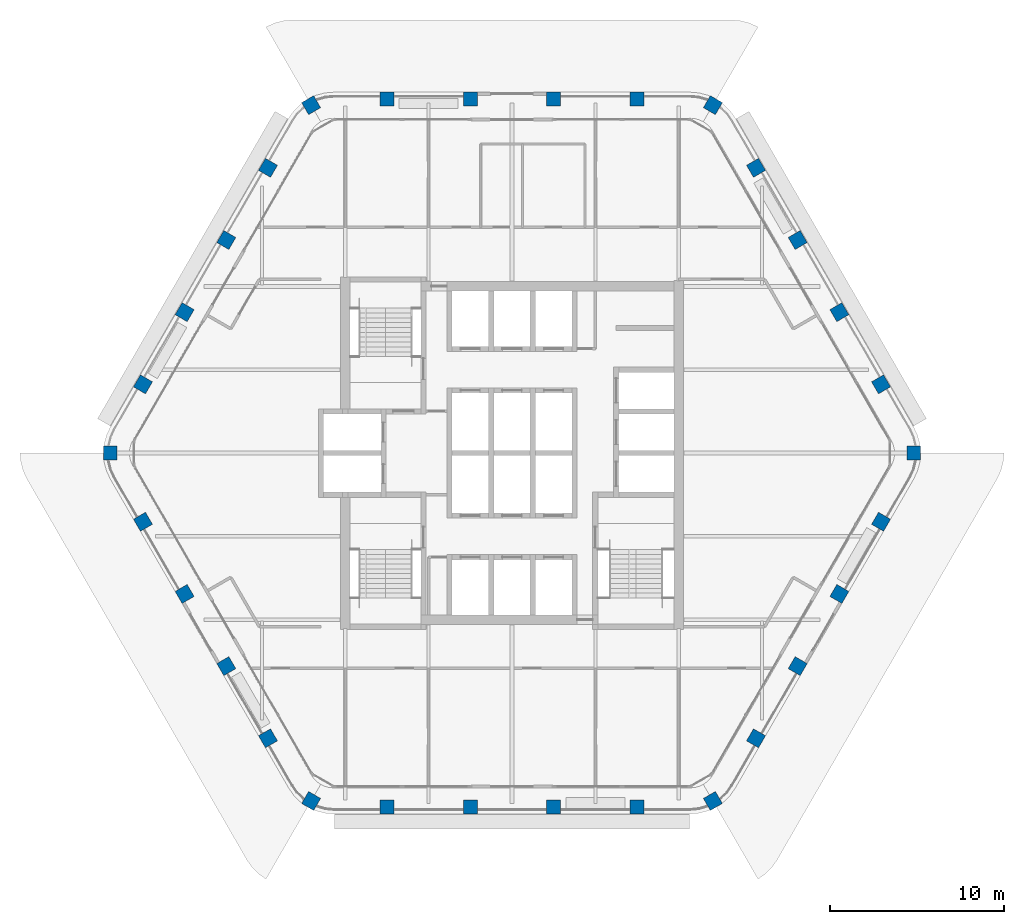
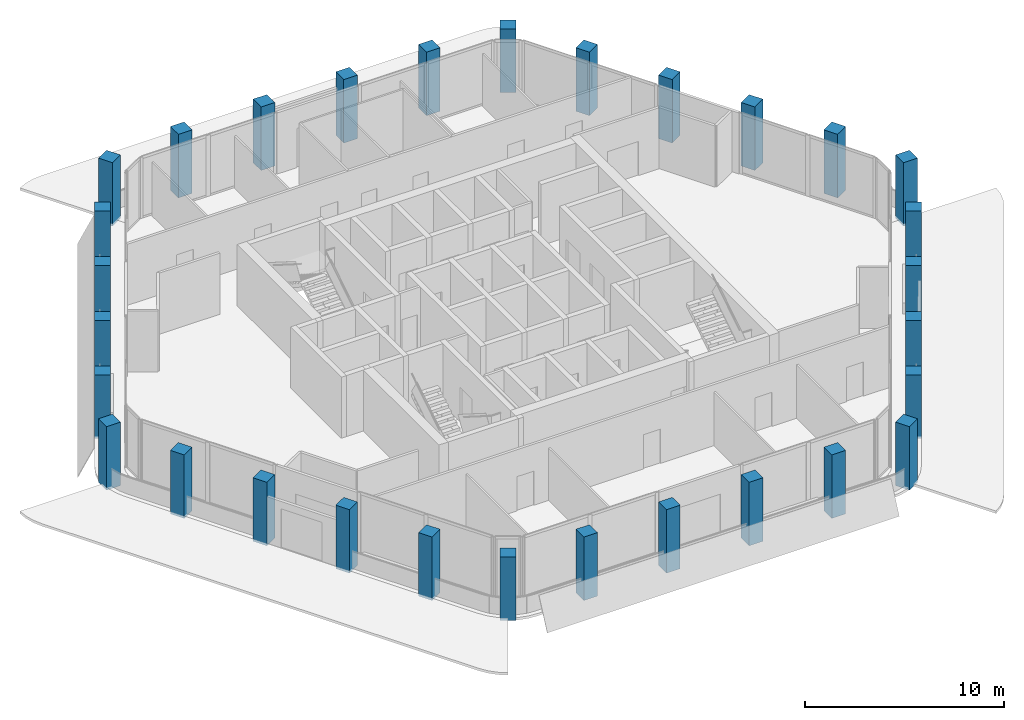
# One storey, part 1 of 14: 30 columns.
"""IFC4 building model written with IfcOpenShell, lengths in metres."""

from ifc_helpers import new_model, si_unit, direction, frame, origin, origin_2d, place, context, subcontext, project, spatial, rectangle, extrude, material, material_profile, profile_set, type_object, element, save


model = new_model("IFC4")

# Units and contexts
model_context = context("Model", 3, precision=1e-05, world=origin(), true_north=direction((0.0, 1.0)))
body_context = subcontext(model_context, "Body", "Model", "MODEL_VIEW")
ifc_project = project(units=[si_unit("LENGTHUNIT", "METRE"), si_unit("AREAUNIT", "SQUARE_METRE"), si_unit("VOLUMEUNIT", "CUBIC_METRE"), si_unit("PLANEANGLEUNIT", "RADIAN"), si_unit("MASSUNIT", "GRAM", prefix="KILO")], contexts=[model_context])

# Site, building, storey
site_placement = place(None, origin())
site = spatial("IfcSite", under=ifc_project, at=site_placement, CompositionType="ELEMENT")
building_placement = place(site_placement, origin())
building = spatial("IfcBuilding", under=site, at=building_placement, Name="Kolab Exchange Tower", CompositionType="ELEMENT")
storey_placement = place(building_placement, frame((0.0, 0.0, 222.800048828125)))
storey = spatial("IfcBuildingStorey", under=building, at=storey_placement, Name="L48", CompositionType="ELEMENT", Elevation=222.800048828125)

# Columns
ifc_material = material(Name="Concrete C50/60", Category="concrete")
ifc_material_profile = material_profile(ifc_material, rectangle(XDim=0.800048828125, YDim=0.800048828125, at=origin_2d()), Name="RC800")
ifc_profile_set = profile_set([ifc_material_profile], Name="Concrete C50/60")
column_type = type_object("IfcColumnType", Name="PERIMETER COLUMN 800 SQ C50/60", PredefinedType="COLUMN", material=ifc_profile_set)
for number, where, z_axis, x_axis, name in (
    (1, (-11.56787109375, 20.036376953125, -0.150146484375), (0.0, 0.0, 1.0), (0.866025403784, 0.5, 0.0), "col/L48/F1-01"),
    (2, (-7.199951171875, 20.384521484375, -0.150146484375), (0.0, 0.0, 1.0), (1.0, 0.0, 0.0), "col/L48/F1-02"),
    (3, (-2.39990234375, 20.384521484375, -0.150146484375), (0.0, 0.0, 1.0), (1.0, 0.0, 0.0), "col/L48/F1-03"),
    (4, (2.39990234375, 20.384521484375, -0.150146484375), (0.0, 0.0, 1.0), (1.0, 0.0, 0.0), "col/L48/F1-04"),
    (5, (7.199951171875, 20.384521484375, -0.150146484375), (0.0, 0.0, 1.0), (1.0, 0.0, 0.0), "col/L48/F1-05"),
    (6, (11.56787109375, 20.036376953125, -0.150146484375), (0.0, 0.0, 1.0), (0.5, 0.866025403784, 0.0), "col/L48/F2-01"),
    (7, (14.0537109375, 16.427734375, -0.150146484375), (0.0, 0.0, 1.0), (0.866025403784, 0.5, 0.0), "col/L48/F2-02"),
    (8, (16.45361328125, 12.270751953125, -0.150146484375), (0.0, 0.0, 1.0), (0.866025403784, 0.5, 0.0), "col/L48/F2-03"),
    (9, (18.853515625, 8.11376953125, -0.150146484375), (0.0, 0.0, 1.0), (0.866025403784, 0.5, 0.0), "col/L48/F2-04"),
    (10, (21.253662109375, 3.95703125, -0.150146484375), (0.0, 0.0, 1.0), (0.866025403784, 0.5, 0.0), "col/L48/F2-05"),
    (11, (23.135986328125, 0.0, -0.150146484375), (0.0, 0.0, 1.0), (1.0, 0.0, 0.0), "col/L48/F3-01"),
    (12, (21.253662109375, -3.95703125, -0.150146484375), (0.0, 0.0, 1.0), (0.5, 0.866025403784, 0.0), "col/L48/F3-02"),
    (13, (18.853515625, -8.11376953125, -0.150146484375), (0.0, 0.0, 1.0), (0.5, 0.866025403784, 0.0), "col/L48/F3-03"),
    (14, (16.45361328125, -12.270751953125, -0.150146484375), (0.0, 0.0, 1.0), (0.5, 0.866025403784, 0.0), "col/L48/F3-04"),
    (15, (14.0537109375, -16.427734375, -0.150146484375), (0.0, 0.0, 1.0), (0.5, 0.866025403784, 0.0), "col/L48/F3-05"),
    (16, (11.56787109375, -20.036376953125, -0.150146484375), (0.0, 0.0, 1.0), (0.866025403784, 0.5, 0.0), "col/L48/F4-01"),
    (17, (7.199951171875, -20.384521484375, -0.150146484375), (0.0, 0.0, 1.0), (1.0, 0.0, 0.0), "col/L48/F4-02"),
    (18, (2.39990234375, -20.384521484375, -0.150146484375), (0.0, 0.0, 1.0), (1.0, 0.0, 0.0), "col/L48/F4-03"),
    (19, (-2.39990234375, -20.384521484375, -0.150146484375), (0.0, 0.0, 1.0), (1.0, 0.0, 0.0), "col/L48/F4-04"),
    (20, (-7.199951171875, -20.384521484375, -0.150146484375), (0.0, 0.0, 1.0), (1.0, 0.0, 0.0), "col/L48/F4-05"),
    (21, (-11.56787109375, -20.036376953125, -0.150146484375), (0.0, 0.0, 1.0), (0.5, 0.866025403784, 0.0), "col/L48/F5-01"),
    (22, (-14.0537109375, -16.427734375, -0.150146484375), (0.0, 0.0, 1.0), (0.866025403784, 0.5, 0.0), "col/L48/F5-02"),
    (23, (-16.45361328125, -12.270751953125, -0.150146484375), (0.0, 0.0, 1.0), (0.866025403784, 0.5, 0.0), "col/L48/F5-03"),
    (24, (-18.853515625, -8.11376953125, -0.150146484375), (0.0, 0.0, 1.0), (0.866025403784, 0.5, 0.0), "col/L48/F5-04"),
    (25, (-21.253662109375, -3.95703125, -0.150146484375), (0.0, 0.0, 1.0), (0.866025403784, 0.5, 0.0), "col/L48/F5-05"),
    (26, (-23.135986328125, 0.0, -0.150146484375), (0.0, 0.0, 1.0), (1.0, 0.0, 0.0), "col/L48/F6-01"),
    (27, (-21.253662109375, 3.95703125, -0.150146484375), (0.0, 0.0, 1.0), (0.5, 0.866025403784, 0.0), "col/L48/F6-02"),
    (28, (-18.853515625, 8.11376953125, -0.150146484375), (0.0, 0.0, 1.0), (0.5, 0.866025403784, 0.0), "col/L48/F6-03"),
    (29, (-16.45361328125, 12.270751953125, -0.150146484375), (0.0, 0.0, 1.0), (0.5, 0.866025403784, 0.0), "col/L48/F6-04"),
    (30, (-14.0537109375, 16.427734375, -0.150146484375), (0.0, 0.0, 1.0), (0.5, 0.866025403784, 0.0), "col/L48/F6-05"),
):
    element("IfcColumn", number, at=place(storey_placement, frame(where, z_axis=z_axis, x_axis=x_axis)), inside=storey, type_object=column_type, Name=name, PredefinedType="COLUMN", context=body_context, shape_type="SweptSolid", body=[
        extrude(rectangle(XDim=0.800048828125, YDim=0.800048828125, at=origin_2d()), origin(), (0.0, 0.0, 1.0), 3.900146484375),
    ])

save(model, "model.ifc")
